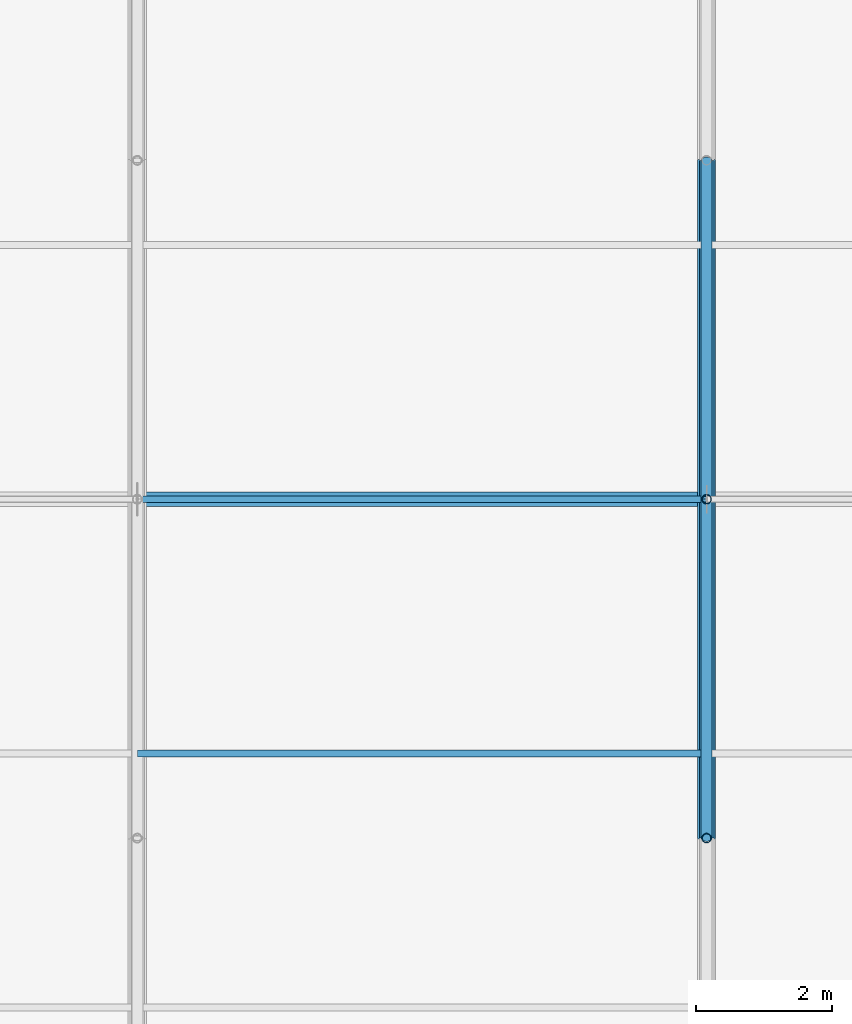
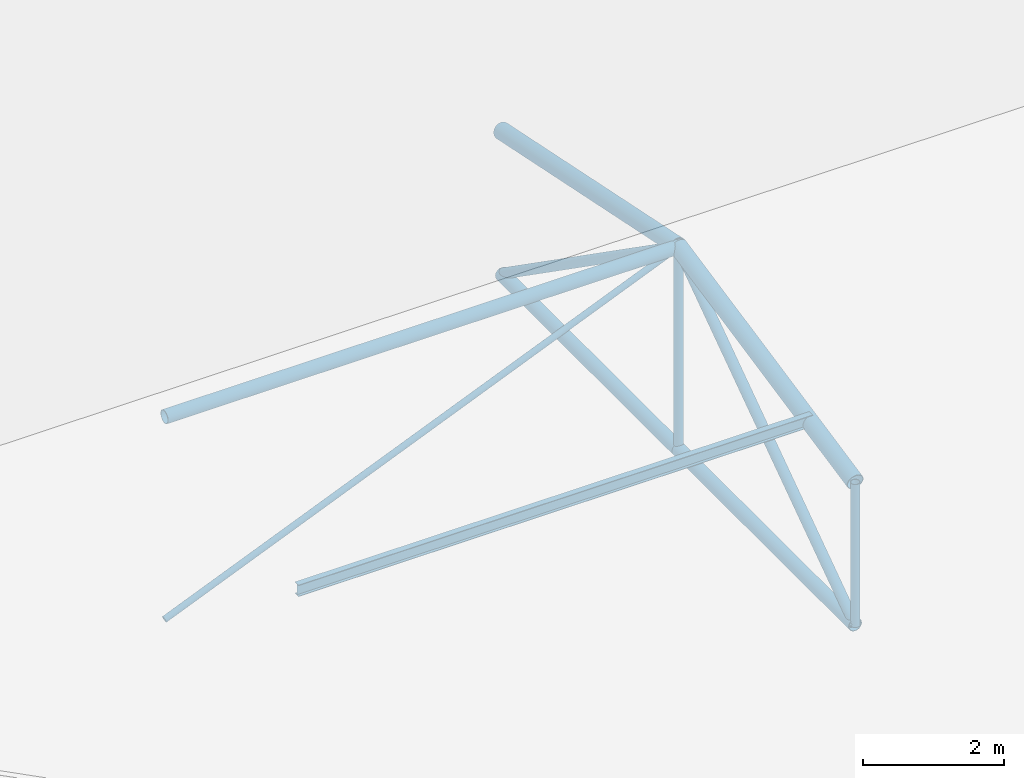
# One storey, part 7 of 194: 10 members, 1 beam.
"""IFC4 building model written with IfcOpenShell, lengths in metres."""

from ifc_helpers import new_model, si_unit, direction, frame, origin, origin_2d, place, context, subcontext, project, spatial, hollow_circle, i_section, extrude, material, material_profile, profile_set, type_object, element, save


model = new_model("IFC4")

# Units and contexts
model_context = context("Model", 3, precision=1e-05, world=origin(), true_north=direction((0.0, 1.0)))
body_context = subcontext(model_context, "Body", "Model", "MODEL_VIEW")
ifc_project = project(units=[si_unit("LENGTHUNIT", "METRE"), si_unit("AREAUNIT", "SQUARE_METRE"), si_unit("VOLUMEUNIT", "CUBIC_METRE"), si_unit("PLANEANGLEUNIT", "RADIAN"), si_unit("MASSUNIT", "GRAM", prefix="KILO")], contexts=[model_context])

# Site, building, storey
site_placement = place(None, origin())
site = spatial("IfcSite", under=ifc_project, at=site_placement, CompositionType="ELEMENT")
building_placement = place(site_placement, origin())
building = spatial("IfcBuilding", under=site, at=building_placement, Name="Kazenagashi Tramway Depot", CompositionType="ELEMENT")
storey_placement = place(building_placement, frame((0.0, 0.0, 23.7)))
storey = spatial("IfcBuildingStorey", under=building, at=storey_placement, Name="ROOF", CompositionType="ELEMENT", Elevation=23.7)

# Beam
ifc_material_1 = material(Name="Steel SN400B", Category="steel")
ifc_material_profile_1 = material_profile(ifc_material_1, i_section(OverallWidth=0.1, OverallDepth=0.2, WebThickness=0.0055, FlangeThickness=0.008, at=origin_2d()), Name="H-200x100x5.5x8")
ifc_profile_set_1 = profile_set([ifc_material_profile_1], Name="Steel SN400B")
beam_type = type_object("IfcBeamType", Name="PR-01", PredefinedType="USERDEFINED", material=ifc_profile_set_1)
beam_placement = place(storey_placement, frame((53.2, 81.25, -11.305), z_axis=(1.0, 0.0, 0.0), x_axis=(0.0, 1.0, 0.0)))
element("IfcBeam", 1, at=beam_placement, inside=storey, type_object=beam_type, Name="Beam PR-01 BM-2055", ObjectType="PURLIN", PredefinedType="USERDEFINED", context=body_context, shape_type="SweptSolid", body=[
    extrude(i_section(OverallWidth=0.1, OverallDepth=0.2, WebThickness=0.0055, FlangeThickness=0.008, at=origin_2d()), origin(), (0.0, 0.0, 1.0), 8.4),
])

# Members
ifc_material_2 = material(Name="Steel STK490", Category="steel")
ifc_material_profile_2 = material_profile(ifc_material_2, hollow_circle(Radius=0.1337, WallThickness=0.0093, at=origin_2d()), Name="CHS-267.4x9.3")
ifc_profile_set_2 = profile_set([ifc_material_profile_2], Name="Steel STK490")
member_type_1 = type_object("IfcMemberType", Name="TC-01", PredefinedType="CHORD", material=ifc_profile_set_2)
for number, where, z_axis, x_axis, name in (
    (2, (61.6, 80.0, -11.633), (0.0, 0.979317999984, 0.202327098797), (-1.0, 0.0, 0.0), "Tubular Space Frame TC-01 MEM-0129"),
    (3, (61.6, 85.0, -10.6), (0.0, 0.979317999984, -0.202327098797), (-1.0, 0.0, 0.0), "Tubular Space Frame TC-01 MEM-0132"),
):
    element("IfcMember", number, at=place(storey_placement, frame(where, z_axis=z_axis, x_axis=x_axis)), inside=storey, type_object=member_type_1, Name=name, PredefinedType="CHORD", context=body_context, shape_type="SweptSolid", body=[
        extrude(hollow_circle(Radius=0.1337, WallThickness=0.0093, at=origin_2d()), origin(), (0.0, 0.0, 1.0), 5.105594),
    ])
ifc_material_profile_3 = material_profile(ifc_material_2, hollow_circle(Radius=0.10815, WallThickness=0.0082, at=origin_2d()), Name="CHS-216.3x8.2")
ifc_profile_set_3 = profile_set([ifc_material_profile_3], Name="Steel STK490")
member_type_2 = type_object("IfcMemberType", Name="TC-02", PredefinedType="CHORD", material=ifc_profile_set_3)
member_1_placement = place(storey_placement, frame((53.2, 85.0, -10.6), z_axis=(1.0, 0.0, 0.0), x_axis=(0.0, 1.0, 0.0)))
element("IfcMember", 4, at=member_1_placement, inside=storey, type_object=member_type_2, Name="Tubular Space Frame TC-02 MEM-0089", PredefinedType="CHORD", context=body_context, shape_type="SweptSolid", body=[
    extrude(hollow_circle(Radius=0.10815, WallThickness=0.0082, at=origin_2d()), origin(), (0.0, 0.0, 1.0), 8.4),
])
for number, where, z_axis, x_axis, name in (
    (5, (61.6, 80.0, -14.1), (0.0, 1.0, 0.0), (-1.0, 0.0, 0.0), "Tubular Space Frame TC-02 MEM-0130"),
    (6, (61.6, 85.0, -14.1), (0.0, 1.0, 0.0), (-1.0, 0.0, 0.0), "Tubular Space Frame TC-02 MEM-0133"),
):
    element("IfcMember", number, at=place(storey_placement, frame(where, z_axis=z_axis, x_axis=x_axis)), inside=storey, type_object=member_type_2, Name=name, PredefinedType="CHORD", context=body_context, shape_type="SweptSolid", body=[
        extrude(hollow_circle(Radius=0.10815, WallThickness=0.0082, at=origin_2d()), origin(), (0.0, 0.0, 1.0), 5.0),
    ])
ifc_material_profile_4 = material_profile(ifc_material_2, hollow_circle(Radius=0.0826, WallThickness=0.0071, at=origin_2d()), Name="CHS-165.2x7.1")
ifc_profile_set_4 = profile_set([ifc_material_profile_4], Name="Steel STK490")
member_type_3 = type_object("IfcMemberType", Name="TS-01", PredefinedType="STRUT", material=ifc_profile_set_4)
for number, where, z_axis, x_axis, name in (
    (7, (61.6, 80.0, -14.1), (0.0, 0.819231920519, 0.573462344363), (-1.0, 0.0, 0.0), "Tubular Space Frame TS-01 MEM-0131"),
    (8, (61.6, 85.0, -10.6), (0.0, 0.819231920519, -0.573462344363), (-1.0, 0.0, 0.0), "Tubular Space Frame TS-01 MEM-0134"),
):
    element("IfcMember", number, at=place(storey_placement, frame(where, z_axis=z_axis, x_axis=x_axis)), inside=storey, type_object=member_type_3, Name=name, PredefinedType="STRUT", context=body_context, shape_type="SweptSolid", body=[
        extrude(hollow_circle(Radius=0.0826, WallThickness=0.0071, at=origin_2d()), origin(), (0.0, 0.0, 1.0), 6.103278),
    ])
ifc_material_profile_5 = material_profile(ifc_material_2, hollow_circle(Radius=0.0699, WallThickness=0.0066, at=origin_2d()), Name="CHS-139.8x6.6")
ifc_profile_set_5 = profile_set([ifc_material_profile_5], Name="Steel STK490")
member_type_4 = type_object("IfcMemberType", Name="TS-02", PredefinedType="STRUT", material=ifc_profile_set_5)
member_2_placement = place(storey_placement, frame((61.6, 80.0, -14.1), z_axis=(0.0, 0.0, 1.0), x_axis=(1.0, 0.0, 0.0)))
element("IfcMember", 9, at=member_2_placement, inside=storey, type_object=member_type_4, Name="Tubular Space Frame TS-02 MEM-0143", PredefinedType="STRUT", context=body_context, shape_type="SweptSolid", body=[
    extrude(hollow_circle(Radius=0.0699, WallThickness=0.0066, at=origin_2d()), origin(), (0.0, 0.0, 1.0), 2.467),
])
member_3_placement = place(storey_placement, frame((61.6, 85.0, -14.1), z_axis=(0.0, 0.0, 1.0), x_axis=(1.0, 0.0, 0.0)))
element("IfcMember", 10, at=member_3_placement, inside=storey, type_object=member_type_4, Name="Tubular Space Frame TS-02 MEM-0144", PredefinedType="STRUT", context=body_context, shape_type="SweptSolid", body=[
    extrude(hollow_circle(Radius=0.0699, WallThickness=0.0066, at=origin_2d()), origin(), (0.0, 0.0, 1.0), 3.5),
])
ifc_material_3 = material(Name="Steel STK400", Category="steel")
ifc_material_profile_6 = material_profile(ifc_material_3, hollow_circle(Radius=0.0508, WallThickness=0.0042, at=origin_2d()), Name="CHS-101.6x4.2")
ifc_profile_set_6 = profile_set([ifc_material_profile_6], Name="Steel STK400")
member_type_5 = type_object("IfcMemberType", Name="TS-06", PredefinedType="STRUT", material=ifc_profile_set_6)
member_4_placement = place(storey_placement, frame((53.2, 85.0, -14.1), z_axis=(0.923076923077, 0.0, 0.384615384615), x_axis=(0.0, 1.0, 0.0)))
element("IfcMember", 11, at=member_4_placement, inside=storey, type_object=member_type_5, Name="Tubular Space Frame TS-06 MEM-0090", PredefinedType="STRUT", context=body_context, shape_type="SweptSolid", body=[
    extrude(hollow_circle(Radius=0.0508, WallThickness=0.0042, at=origin_2d()), origin(), (0.0, 0.0, 1.0), 9.1),
])

save(model, "model.ifc")
